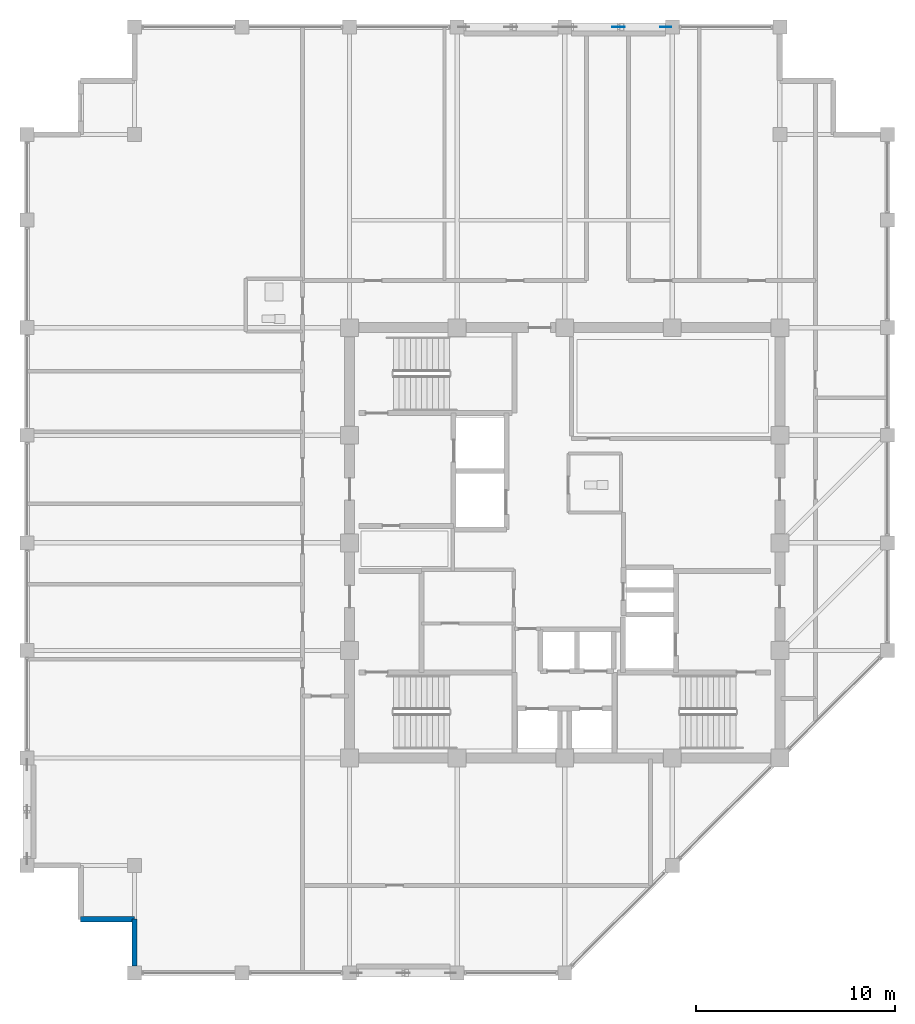
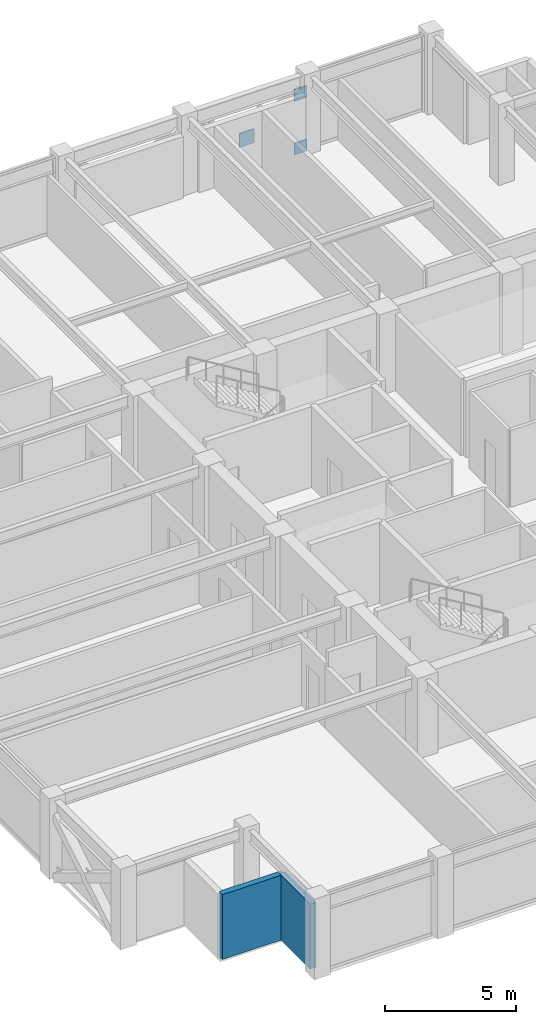
# One storey, part 25 of 30: 3 plates, 2 walls.
"""IFC4 building model written with IfcOpenShell, lengths in metres."""

from ifc_helpers import new_model, si_unit, direction, frame, frame_2d, origin, origin_2d, place, context, subcontext, project, spatial, rectangle, extrude, material, layer, layer_set, type_object, element, save


model = new_model("IFC4")

# Units and contexts
model_context = context("Model", 3, precision=1e-05, world=origin(), true_north=direction((0.0, 1.0)))
body_context = subcontext(model_context, "Body", "Model", "MODEL_VIEW")
ifc_project = project(units=[si_unit("LENGTHUNIT", "METRE"), si_unit("AREAUNIT", "SQUARE_METRE"), si_unit("VOLUMEUNIT", "CUBIC_METRE"), si_unit("PLANEANGLEUNIT", "RADIAN"), si_unit("MASSUNIT", "GRAM", prefix="KILO")], contexts=[model_context])

# Site, building, storey
site_placement = place(None, origin())
site = spatial("IfcSite", under=ifc_project, at=site_placement, CompositionType="ELEMENT")
building_placement = place(site_placement, origin())
building = spatial("IfcBuilding", under=site, at=building_placement, Name="Surkhivell Harbour Commons", CompositionType="ELEMENT")
storey_placement = place(building_placement, frame((0.0, 0.0, 296.25)))
storey = spatial("IfcBuildingStorey", under=building, at=storey_placement, Name="L77", CompositionType="ELEMENT", Elevation=296.25)

# Plates
ifc_material_1 = material(Name="Steel S460", Category="steel")
ifc_layer_1 = layer(ifc_material_1, 0.035888671875)
ifc_layer_set_1 = layer_set([ifc_layer_1], Name="Steel S460")
plate_type_1 = type_object("IfcPlateType", Name="PLT-GUS-550", PredefinedType="USERDEFINED", material=ifc_layer_set_1)
for number, where, z_axis, x_axis, name in (
    (1, (5.06494140625, 25.89990234375, -0.07470703125), (0.0, 0.0, 1.0), (1.0, 0.0, 0.0), "L77 Perimeter Mega-Brace MB- Corner Gusset N2-2"),
    (2, (5.06494140625, 25.89990234375, 2.41357421875), (0.0, 0.0, 1.0), (1.0, 0.0, 0.0), "L77 Perimeter Mega-Brace MB- Corner Gusset N2-4"),
):
    element("IfcPlate", number, at=place(storey_placement, frame(where, z_axis=z_axis, x_axis=x_axis)), inside=storey, type_object=plate_type_1, Name=name, ObjectType="GUSSET_PLATE", PredefinedType="USERDEFINED", context=body_context, shape_type="SweptSolid", body=[
        extrude(rectangle(XDim=0.550048828125, YDim=0.035888671875, at=origin_2d()), origin(), (0.0, 0.0, 1.0), 0.550048828125),
    ])
ifc_layer_2 = layer(ifc_material_1, 0.044921875)
ifc_layer_set_2 = layer_set([ifc_layer_2], Name="Steel S460")
plate_type_2 = type_object("IfcPlateType", Name="PLT-GUS-650", PredefinedType="USERDEFINED", material=ifc_layer_set_2)
plate_placement = place(storey_placement, frame((2.699951171875, 25.89990234375, 1.11962890625), z_axis=(0.0, 0.0, 1.0), x_axis=(1.0, 0.0, 0.0)))
element("IfcPlate", 3, at=plate_placement, inside=storey, type_object=plate_type_2, Name="L77 Perimeter Mega-Brace MB- Central Crossing Gusset N2", ObjectType="GUSSET_PLATE", PredefinedType="USERDEFINED", context=body_context, shape_type="SweptSolid", body=[
    extrude(rectangle(XDim=0.64990234375, YDim=0.044921875, at=origin_2d()), origin(), (0.0, 0.0, 1.0), 0.64990234375),
])

# Walls
ifc_material_2 = material(Name="Pale-metal insulated precast concrete C45/55", Category="concrete")
ifc_layer_3 = layer(ifc_material_2, 0.260009765625)
ifc_layer_set_3 = layer_set([ifc_layer_3], Name="Pale-metal insulated precast concrete C45/55")
wall_type = type_object("IfcWallType", Name="WAL-EXT-MTL260", PredefinedType="STANDARD", material=ifc_layer_set_3)
wall_1_placement = place(storey_placement, frame((-24.300048828125, -18.89990234375, 0.0), z_axis=(0.0, 0.0, 1.0), x_axis=(1.0, 0.0, 0.0)))
element("IfcWall", 4, at=wall_1_placement, inside=storey, type_object=wall_type, Name="L77 Serrated Corner Facade Wall 15", PredefinedType="STANDARD", context=body_context, shape_type="SweptSolid", body=[
    extrude(rectangle(XDim=2.699951171875, YDim=0.260009765625, at=frame_2d((1.35009765625, 0.0))), origin(), (0.0, 0.0, 1.0), 3.012939453125),
])
wall_2_placement = place(storey_placement, frame((-21.60009765625, -18.89990234375, 0.0), z_axis=(0.0, 0.0, 1.0), x_axis=(0.0, -1.0, 0.0)))
element("IfcWall", 5, at=wall_2_placement, inside=storey, type_object=wall_type, Name="L77 Serrated Corner Facade Wall 16", PredefinedType="STANDARD", context=body_context, shape_type="SweptSolid", body=[
    extrude(rectangle(XDim=2.35205078125, YDim=0.260009765625, at=frame_2d((1.176025390625, 0.0))), origin(), (0.0, 0.0, 1.0), 3.012939453125),
])

save(model, "model.ifc")
